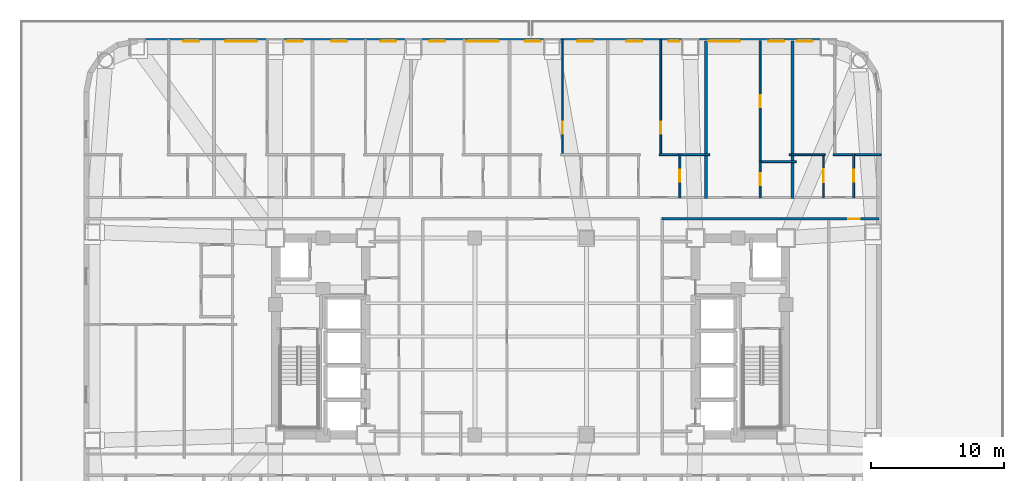
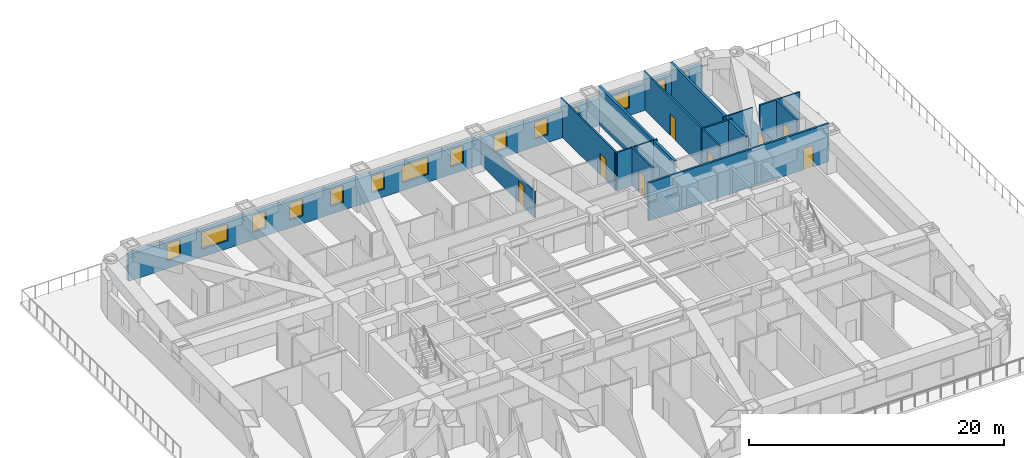
# One storey, part 9 of 15: 15 walls, 14 windows, 8 doors, 22 openings.
"""IFC4 building model written with IfcOpenShell, lengths in metres."""

from ifc_helpers import new_model, si_unit, direction, frame, frame_2d, origin, place, context, subcontext, project, spatial, rectangle, extrude, material, layer, layer_set, type_object, element, fill, save


model = new_model("IFC4")

# Units and contexts
model_context = context("Model", 3, precision=1e-05, world=origin(), true_north=direction((0.0, 1.0)))
body_context = subcontext(model_context, "Body", "Model", "MODEL_VIEW")
ifc_project = project(units=[si_unit("LENGTHUNIT", "METRE"), si_unit("AREAUNIT", "SQUARE_METRE"), si_unit("VOLUMEUNIT", "CUBIC_METRE"), si_unit("PLANEANGLEUNIT", "RADIAN"), si_unit("MASSUNIT", "GRAM", prefix="KILO")], contexts=[model_context])

# Site, building, storey
site_placement = place(None, origin())
site = spatial("IfcSite", under=ifc_project, at=site_placement, CompositionType="ELEMENT")
building_placement = place(site_placement, origin())
building = spatial("IfcBuilding", under=site, at=building_placement, Name="Voryun Gate Residences", CompositionType="ELEMENT")
storey_placement = place(building_placement, frame((0.0, 0.0, 26.0)))
storey = spatial("IfcBuildingStorey", under=building, at=storey_placement, Name="L05", CompositionType="ELEMENT", Elevation=26.0)

# Wall, opening, door
ifc_material_1 = material(Name="Gypsum acoustic fireboard")
ifc_layer_1 = layer(ifc_material_1, 0.179931640625, Name="W_CORR_RATED_180")
ifc_layer_set_1 = layer_set([ifc_layer_1], Name="Gypsum acoustic fireboard")
wall_type_1 = type_object("IfcWallType", Name="W_CORR_RATED_180", PredefinedType="PARTITIONING", material=ifc_layer_set_1)
wall_1_placement = place(storey_placement, frame((9.8798828125, 8.840087890625, 0.0), z_axis=(0.0, 0.0, 1.0), x_axis=(1.0, 0.0, 0.0)))
wall_1 = element("IfcWall", 1, at=wall_1_placement, inside=storey, type_object=wall_type_1, Name="Partition wall WP-L05-CWING-EN", PredefinedType="PARTITIONING", context=body_context, shape_type="SweptSolid", body=[
    extrude(rectangle(XDim=16.330078125, YDim=0.179931640625, at=frame_2d((8.1650390625, 0.0))), origin(), (0.0, 0.0, 1.0), 3.64990234375),
])
opening_1_placement = place(wall_1_placement, frame((13.990478515625, 0.0, 0.0)))
opening_1 = element("IfcOpeningElement", 2, at=opening_1_placement, cuts=wall_1, Name="Opening D-INT-2", PredefinedType="OPENING", context=body_context, shape_type="SweptSolid", body=[
    extrude(rectangle(XDim=0.89990234375, YDim=2.050048828125, at=frame_2d((0.449951171875, 1.02490234375))), frame((0.0, 0.099853515625, 0.0), z_axis=(0.0, -1.0, 0.0), x_axis=(1.0, 0.0, 0.0)), (0.0, 0.0, 1.0), 0.199951171875),
])
ifc_material_2 = material(Name="Architectural oak veneer")
door_type_1 = type_object("IfcDoorType", Name="DR_INT_BATH_900", OperationType="NOTDEFINED", PredefinedType="DOOR", material=ifc_material_2)
door_1_placement = place(opening_1_placement, origin())
door_1 = element("IfcDoor", 3, at=door_1_placement, inside=storey, type_object=door_type_1, Name="Door DR-L05-EE1N", OperationType="SINGLE_SWING_LEFT", OverallHeight=2.050048828125, OverallWidth=0.89990234375, PredefinedType="DOOR", context=body_context, shape_type="SweptSolid", body=[
    extrude(rectangle(XDim=0.89990234375, YDim=2.050048828125, at=frame_2d((0.449951171875, 1.02490234375))), frame((0.0, 0.02490234375, 0.0), z_axis=(0.0, -1.0, 0.0), x_axis=(1.0, 0.0, 0.0)), (0.0, 0.0, 1.0), 0.050048828125),
])
fill(opening_1, door_1)

# Wall, openings, windows
ifc_material_3 = material(Name="Granite masonry", Category="masonry")
ifc_layer_2 = layer(ifc_material_3, 0.3798828125, Name="W_EXT_GRANITE_380")
ifc_layer_set_2 = layer_set([ifc_layer_2], Name="Granite masonry")
wall_type_2 = type_object("IfcWallType", Name="W_EXT_GRANITE_380", PredefinedType="ELEMENTEDWALL", material=ifc_layer_set_2)
wall_2_placement = place(storey_placement, frame((-29.581298828125, 22.2099609375, 0.0), z_axis=(0.0, 0.0, 1.0), x_axis=(1.0, 0.0, 0.0)))
wall_2 = element("IfcWall", 4, at=wall_2_placement, inside=storey, type_object=wall_type_2, Name="Exterior wall WEXT-L05-11", PredefinedType="ELEMENTEDWALL", context=body_context, shape_type="SweptSolid", body=[
    extrude(rectangle(XDim=51.962646484375, YDim=0.3798828125, at=frame_2d((25.9814453125, 0.0))), origin(), (0.0, 0.0, 1.0), 2.5400390625),
])
opening_2_placement = place(wall_2_placement, frame((6.6103515625, 0.0, 0.75)))
opening_2 = element("IfcOpeningElement", 5, at=opening_2_placement, cuts=wall_2, Name="Opening WN2", PredefinedType="OPENING", context=body_context, shape_type="SweptSolid", body=[
    extrude(rectangle(XDim=2.39990234375, YDim=1.6298828125, at=frame_2d((1.199951171875, 0.81494140625))), frame((0.0, 0.199951171875, 0.0), z_axis=(0.0, -1.0, 0.0), x_axis=(1.0, 0.0, 0.0)), (0.0, 0.0, 1.0), 0.39990234375),
])
opening_3_placement = place(wall_2_placement, frame((24.78125, 0.0, 0.75)))
opening_3 = element("IfcOpeningElement", 6, at=opening_3_placement, cuts=wall_2, Name="Opening WN2", PredefinedType="OPENING", context=body_context, shape_type="SweptSolid", body=[
    extrude(rectangle(XDim=2.39990234375, YDim=1.6298828125, at=frame_2d((1.199951171875, 0.81494140625))), frame((0.0, 0.199951171875, 0.0), z_axis=(0.0, -1.0, 0.0), x_axis=(1.0, 0.0, 0.0)), (0.0, 0.0, 1.0), 0.39990234375),
])
opening_4_placement = place(wall_2_placement, frame((42.9521484375, 0.0, 0.75)))
opening_4 = element("IfcOpeningElement", 7, at=opening_4_placement, cuts=wall_2, Name="Opening WN2", PredefinedType="OPENING", context=body_context, shape_type="SweptSolid", body=[
    extrude(rectangle(XDim=2.39990234375, YDim=1.6298828125, at=frame_2d((1.199951171875, 0.81494140625))), frame((0.0, 0.199951171875, 0.0), z_axis=(0.0, -1.0, 0.0), x_axis=(1.0, 0.0, 0.0)), (0.0, 0.0, 1.0), 0.39990234375),
])
opening_5_placement = place(wall_2_placement, frame((3.476318359375, 0.0, 0.75)))
opening_5 = element("IfcOpeningElement", 8, at=opening_5_placement, cuts=wall_2, Name="Opening WN6", PredefinedType="OPENING", context=body_context, shape_type="SweptSolid", body=[
    extrude(rectangle(XDim=1.199951171875, YDim=1.6298828125, at=frame_2d((0.60009765625, 0.81494140625))), frame((0.0, 0.199951171875, 0.0), z_axis=(0.0, -1.0, 0.0), x_axis=(1.0, 0.0, 0.0)), (0.0, 0.0, 1.0), 0.39990234375),
])
opening_6_placement = place(wall_2_placement, frame((11.236328125, 0.0, 0.75)))
opening_6 = element("IfcOpeningElement", 9, at=opening_6_placement, cuts=wall_2, Name="Opening WN6", PredefinedType="OPENING", context=body_context, shape_type="SweptSolid", body=[
    extrude(rectangle(XDim=1.199951171875, YDim=1.6298828125, at=frame_2d((0.60009765625, 0.81494140625))), frame((0.0, 0.199951171875, 0.0), z_axis=(0.0, -1.0, 0.0), x_axis=(1.0, 0.0, 0.0)), (0.0, 0.0, 1.0), 0.39990234375),
])
opening_7_placement = place(wall_2_placement, frame((14.576416015625, 0.0, 0.75)))
opening_7 = element("IfcOpeningElement", 10, at=opening_7_placement, cuts=wall_2, Name="Opening WN6", PredefinedType="OPENING", context=body_context, shape_type="SweptSolid", body=[
    extrude(rectangle(XDim=1.199951171875, YDim=1.6298828125, at=frame_2d((0.60009765625, 0.81494140625))), frame((0.0, 0.199951171875, 0.0), z_axis=(0.0, -1.0, 0.0), x_axis=(1.0, 0.0, 0.0)), (0.0, 0.0, 1.0), 0.39990234375),
])
opening_8_placement = place(wall_2_placement, frame((18.2763671875, 0.0, 0.75)))
opening_8 = element("IfcOpeningElement", 11, at=opening_8_placement, cuts=wall_2, Name="Opening WN6", PredefinedType="OPENING", context=body_context, shape_type="SweptSolid", body=[
    extrude(rectangle(XDim=1.199951171875, YDim=1.6298828125, at=frame_2d((0.60009765625, 0.81494140625))), frame((0.0, 0.199951171875, 0.0), z_axis=(0.0, -1.0, 0.0), x_axis=(1.0, 0.0, 0.0)), (0.0, 0.0, 1.0), 0.39990234375),
])
opening_9_placement = place(wall_2_placement, frame((21.976318359375, 0.0, 0.75)))
opening_9 = element("IfcOpeningElement", 12, at=opening_9_placement, cuts=wall_2, Name="Opening WN6", PredefinedType="OPENING", context=body_context, shape_type="SweptSolid", body=[
    extrude(rectangle(XDim=1.199951171875, YDim=1.6298828125, at=frame_2d((0.60009765625, 0.81494140625))), frame((0.0, 0.199951171875, 0.0), z_axis=(0.0, -1.0, 0.0), x_axis=(1.0, 0.0, 0.0)), (0.0, 0.0, 1.0), 0.39990234375),
])
opening_10_placement = place(wall_2_placement, frame((29.13623046875, 0.0, 0.75)))
opening_10 = element("IfcOpeningElement", 13, at=opening_10_placement, cuts=wall_2, Name="Opening WN6", PredefinedType="OPENING", context=body_context, shape_type="SweptSolid", body=[
    extrude(rectangle(XDim=1.199951171875, YDim=1.6298828125, at=frame_2d((0.60009765625, 0.81494140625))), frame((0.0, 0.199951171875, 0.0), z_axis=(0.0, -1.0, 0.0), x_axis=(1.0, 0.0, 0.0)), (0.0, 0.0, 1.0), 0.39990234375),
])
opening_11_placement = place(wall_2_placement, frame((33.076416015625, 0.0, 0.75)))
opening_11 = element("IfcOpeningElement", 14, at=opening_11_placement, cuts=wall_2, Name="Opening WN6", PredefinedType="OPENING", context=body_context, shape_type="SweptSolid", body=[
    extrude(rectangle(XDim=1.199951171875, YDim=1.6298828125, at=frame_2d((0.60009765625, 0.81494140625))), frame((0.0, 0.199951171875, 0.0), z_axis=(0.0, -1.0, 0.0), x_axis=(1.0, 0.0, 0.0)), (0.0, 0.0, 1.0), 0.39990234375),
])
opening_12_placement = place(wall_2_placement, frame((36.7763671875, 0.0, 0.75)))
opening_12 = element("IfcOpeningElement", 15, at=opening_12_placement, cuts=wall_2, Name="Opening WN6", PredefinedType="OPENING", context=body_context, shape_type="SweptSolid", body=[
    extrude(rectangle(XDim=1.199951171875, YDim=1.6298828125, at=frame_2d((0.60009765625, 0.81494140625))), frame((0.0, 0.199951171875, 0.0), z_axis=(0.0, -1.0, 0.0), x_axis=(1.0, 0.0, 0.0)), (0.0, 0.0, 1.0), 0.39990234375),
])
opening_13_placement = place(wall_2_placement, frame((39.931396484375, 0.0, 0.75)))
opening_13 = element("IfcOpeningElement", 16, at=opening_13_placement, cuts=wall_2, Name="Opening WN9", PredefinedType="OPENING", context=body_context, shape_type="SweptSolid", body=[
    extrude(rectangle(XDim=0.85009765625, YDim=1.6298828125, at=frame_2d((0.425048828125, 0.81494140625))), frame((0.0, 0.199951171875, 0.0), z_axis=(0.0, -1.0, 0.0), x_axis=(1.0, 0.0, 0.0)), (0.0, 0.0, 1.0), 0.39990234375),
])
opening_14_placement = place(wall_2_placement, frame((47.46875, 0.0, 0.75)))
opening_14 = element("IfcOpeningElement", 17, at=opening_14_placement, cuts=wall_2, Name="Opening WN6", PredefinedType="OPENING", context=body_context, shape_type="SweptSolid", body=[
    extrude(rectangle(XDim=1.199951171875, YDim=1.6298828125, at=frame_2d((0.60009765625, 0.81494140625))), frame((0.0, 0.199951171875, 0.0), z_axis=(0.0, -1.0, 0.0), x_axis=(1.0, 0.0, 0.0)), (0.0, 0.0, 1.0), 0.39990234375),
])
opening_15_placement = place(wall_2_placement, frame((49.581298828125, 0.0, 0.75)))
opening_15 = element("IfcOpeningElement", 18, at=opening_15_placement, cuts=wall_2, Name="Opening WN6", PredefinedType="OPENING", context=body_context, shape_type="SweptSolid", body=[
    extrude(rectangle(XDim=1.199951171875, YDim=1.6298828125, at=frame_2d((0.60009765625, 0.81494140625))), frame((0.0, 0.199951171875, 0.0), z_axis=(0.0, -1.0, 0.0), x_axis=(1.0, 0.0, 0.0)), (0.0, 0.0, 1.0), 0.39990234375),
])
ifc_material_4 = material(Name="Laminated low-E glass", Category="glass")
window_type_1 = type_object("IfcWindowType", Name="WN_POD_SLOT_1200", PartitioningType="SINGLE_PANEL", PredefinedType="WINDOW", material=ifc_material_4)
window_1_placement = place(opening_5_placement, origin())
window_1 = element("IfcWindow", 19, at=window_1_placement, inside=storey, type_object=window_type_1, Name="Window WN-L05-DWFIX-02", OverallHeight=1.6298828125, OverallWidth=1.199951171875, PartitioningType="SINGLE_PANEL", PredefinedType="WINDOW", context=body_context, shape_type="SweptSolid", body=[
    extrude(rectangle(XDim=1.199951171875, YDim=1.6298828125, at=frame_2d((0.60009765625, 0.81494140625))), frame((0.0, 0.030029296875, 0.0), z_axis=(0.0, -1.0, 0.0), x_axis=(1.0, 0.0, 0.0)), (0.0, 0.0, 1.0), 0.06005859375),
])
fill(opening_5, window_1)
window_2_placement = place(opening_6_placement, origin())
window_2 = element("IfcWindow", 20, at=window_2_placement, inside=storey, type_object=window_type_1, Name="Window WN-L05-DWFIX-03", OverallHeight=1.6298828125, OverallWidth=1.199951171875, PartitioningType="SINGLE_PANEL", PredefinedType="WINDOW", context=body_context, shape_type="SweptSolid", body=[
    extrude(rectangle(XDim=1.199951171875, YDim=1.6298828125, at=frame_2d((0.60009765625, 0.81494140625))), frame((0.0, 0.030029296875, 0.0), z_axis=(0.0, -1.0, 0.0), x_axis=(1.0, 0.0, 0.0)), (0.0, 0.0, 1.0), 0.06005859375),
])
fill(opening_6, window_2)
window_3_placement = place(opening_7_placement, origin())
window_3 = element("IfcWindow", 21, at=window_3_placement, inside=storey, type_object=window_type_1, Name="Window WN-L05-DWFIX-04", OverallHeight=1.6298828125, OverallWidth=1.199951171875, PartitioningType="SINGLE_PANEL", PredefinedType="WINDOW", context=body_context, shape_type="SweptSolid", body=[
    extrude(rectangle(XDim=1.199951171875, YDim=1.6298828125, at=frame_2d((0.60009765625, 0.81494140625))), frame((0.0, 0.030029296875, 0.0), z_axis=(0.0, -1.0, 0.0), x_axis=(1.0, 0.0, 0.0)), (0.0, 0.0, 1.0), 0.06005859375),
])
fill(opening_7, window_3)
window_4_placement = place(opening_8_placement, origin())
window_4 = element("IfcWindow", 22, at=window_4_placement, inside=storey, type_object=window_type_1, Name="Window WN-L05-DWFIX-05", OverallHeight=1.6298828125, OverallWidth=1.199951171875, PartitioningType="SINGLE_PANEL", PredefinedType="WINDOW", context=body_context, shape_type="SweptSolid", body=[
    extrude(rectangle(XDim=1.199951171875, YDim=1.6298828125, at=frame_2d((0.60009765625, 0.81494140625))), frame((0.0, 0.030029296875, 0.0), z_axis=(0.0, -1.0, 0.0), x_axis=(1.0, 0.0, 0.0)), (0.0, 0.0, 1.0), 0.06005859375),
])
fill(opening_8, window_4)
window_5_placement = place(opening_9_placement, origin())
window_5 = element("IfcWindow", 23, at=window_5_placement, inside=storey, type_object=window_type_1, Name="Window WN-L05-DWFIX-06", OverallHeight=1.6298828125, OverallWidth=1.199951171875, PartitioningType="SINGLE_PANEL", PredefinedType="WINDOW", context=body_context, shape_type="SweptSolid", body=[
    extrude(rectangle(XDim=1.199951171875, YDim=1.6298828125, at=frame_2d((0.60009765625, 0.81494140625))), frame((0.0, 0.030029296875, 0.0), z_axis=(0.0, -1.0, 0.0), x_axis=(1.0, 0.0, 0.0)), (0.0, 0.0, 1.0), 0.06005859375),
])
fill(opening_9, window_5)
window_6_placement = place(opening_10_placement, origin())
window_6 = element("IfcWindow", 24, at=window_6_placement, inside=storey, type_object=window_type_1, Name="Window WN-L05-DWFIX-07", OverallHeight=1.6298828125, OverallWidth=1.199951171875, PartitioningType="SINGLE_PANEL", PredefinedType="WINDOW", context=body_context, shape_type="SweptSolid", body=[
    extrude(rectangle(XDim=1.199951171875, YDim=1.6298828125, at=frame_2d((0.60009765625, 0.81494140625))), frame((0.0, 0.030029296875, 0.0), z_axis=(0.0, -1.0, 0.0), x_axis=(1.0, 0.0, 0.0)), (0.0, 0.0, 1.0), 0.06005859375),
])
fill(opening_10, window_6)
window_7_placement = place(opening_11_placement, origin())
window_7 = element("IfcWindow", 25, at=window_7_placement, inside=storey, type_object=window_type_1, Name="Window WN-L05-DWFIX-08", OverallHeight=1.6298828125, OverallWidth=1.199951171875, PartitioningType="SINGLE_PANEL", PredefinedType="WINDOW", context=body_context, shape_type="SweptSolid", body=[
    extrude(rectangle(XDim=1.199951171875, YDim=1.6298828125, at=frame_2d((0.60009765625, 0.81494140625))), frame((0.0, 0.030029296875, 0.0), z_axis=(0.0, -1.0, 0.0), x_axis=(1.0, 0.0, 0.0)), (0.0, 0.0, 1.0), 0.06005859375),
])
fill(opening_11, window_7)
window_8_placement = place(opening_12_placement, origin())
window_8 = element("IfcWindow", 26, at=window_8_placement, inside=storey, type_object=window_type_1, Name="Window WN-L05-DWFIX-09", OverallHeight=1.6298828125, OverallWidth=1.199951171875, PartitioningType="SINGLE_PANEL", PredefinedType="WINDOW", context=body_context, shape_type="SweptSolid", body=[
    extrude(rectangle(XDim=1.199951171875, YDim=1.6298828125, at=frame_2d((0.60009765625, 0.81494140625))), frame((0.0, 0.030029296875, 0.0), z_axis=(0.0, -1.0, 0.0), x_axis=(1.0, 0.0, 0.0)), (0.0, 0.0, 1.0), 0.06005859375),
])
fill(opening_12, window_8)
window_9_placement = place(opening_14_placement, origin())
window_9 = element("IfcWindow", 27, at=window_9_placement, inside=storey, type_object=window_type_1, Name="Window WN-L05-DWFIX-11", OverallHeight=1.6298828125, OverallWidth=1.199951171875, PartitioningType="SINGLE_PANEL", PredefinedType="WINDOW", context=body_context, shape_type="SweptSolid", body=[
    extrude(rectangle(XDim=1.199951171875, YDim=1.6298828125, at=frame_2d((0.60009765625, 0.81494140625))), frame((0.0, 0.030029296875, 0.0), z_axis=(0.0, -1.0, 0.0), x_axis=(1.0, 0.0, 0.0)), (0.0, 0.0, 1.0), 0.06005859375),
])
fill(opening_14, window_9)
window_10_placement = place(opening_15_placement, origin())
window_10 = element("IfcWindow", 28, at=window_10_placement, inside=storey, type_object=window_type_1, Name="Window WN-L05-DWFIX-12", OverallHeight=1.6298828125, OverallWidth=1.199951171875, PartitioningType="SINGLE_PANEL", PredefinedType="WINDOW", context=body_context, shape_type="SweptSolid", body=[
    extrude(rectangle(XDim=1.199951171875, YDim=1.6298828125, at=frame_2d((0.60009765625, 0.81494140625))), frame((0.0, 0.030029296875, 0.0), z_axis=(0.0, -1.0, 0.0), x_axis=(1.0, 0.0, 0.0)), (0.0, 0.0, 1.0), 0.06005859375),
])
fill(opening_15, window_10)
ifc_material_5 = material(Name="Laminated low-E glass", Category="glass")
window_type_2 = type_object("IfcWindowType", Name="WN_RES_CASEMENT_850", PartitioningType="SINGLE_PANEL", PredefinedType="WINDOW", material=ifc_material_5)
window_11_placement = place(opening_13_placement, origin())
window_11 = element("IfcWindow", 29, at=window_11_placement, inside=storey, type_object=window_type_2, Name="Window WN-L05-DWFIX-10", OverallHeight=1.6298828125, OverallWidth=0.85009765625, PartitioningType="SINGLE_PANEL", PredefinedType="WINDOW", context=body_context, shape_type="SweptSolid", body=[
    extrude(rectangle(XDim=0.85009765625, YDim=1.6298828125, at=frame_2d((0.425048828125, 0.81494140625))), frame((0.0, 0.030029296875, 0.0), z_axis=(0.0, -1.0, 0.0), x_axis=(1.0, 0.0, 0.0)), (0.0, 0.0, 1.0), 0.06005859375),
])
fill(opening_13, window_11)
ifc_material_6 = material(Name="Laminated low-E glass", Category="glass")
window_type_3 = type_object("IfcWindowType", Name="WN_RES_WIDE_2400", PartitioningType="SINGLE_PANEL", PredefinedType="WINDOW", material=ifc_material_6)
window_12_placement = place(opening_2_placement, origin())
window_12 = element("IfcWindow", 30, at=window_12_placement, inside=storey, type_object=window_type_3, Name="Window WN-WEXT-L05-11-01", OverallHeight=1.6298828125, OverallWidth=2.39990234375, PartitioningType="SINGLE_PANEL", PredefinedType="WINDOW", context=body_context, shape_type="SweptSolid", body=[
    extrude(rectangle(XDim=2.39990234375, YDim=1.6298828125, at=frame_2d((1.199951171875, 0.81494140625))), frame((0.0, 0.030029296875, 0.0), z_axis=(0.0, -1.0, 0.0), x_axis=(1.0, 0.0, 0.0)), (0.0, 0.0, 1.0), 0.06005859375),
])
fill(opening_2, window_12)
window_13_placement = place(opening_3_placement, origin())
window_13 = element("IfcWindow", 31, at=window_13_placement, inside=storey, type_object=window_type_3, Name="Window WN-WEXT-L05-11-02", OverallHeight=1.6298828125, OverallWidth=2.39990234375, PartitioningType="SINGLE_PANEL", PredefinedType="WINDOW", context=body_context, shape_type="SweptSolid", body=[
    extrude(rectangle(XDim=2.39990234375, YDim=1.6298828125, at=frame_2d((1.199951171875, 0.81494140625))), frame((0.0, 0.030029296875, 0.0), z_axis=(0.0, -1.0, 0.0), x_axis=(1.0, 0.0, 0.0)), (0.0, 0.0, 1.0), 0.06005859375),
])
fill(opening_3, window_13)
window_14_placement = place(opening_4_placement, origin())
window_14 = element("IfcWindow", 32, at=window_14_placement, inside=storey, type_object=window_type_3, Name="Window WN-WEXT-L05-11-03", OverallHeight=1.6298828125, OverallWidth=2.39990234375, PartitioningType="SINGLE_PANEL", PredefinedType="WINDOW", context=body_context, shape_type="SweptSolid", body=[
    extrude(rectangle(XDim=2.39990234375, YDim=1.6298828125, at=frame_2d((1.199951171875, 0.81494140625))), frame((0.0, 0.030029296875, 0.0), z_axis=(0.0, -1.0, 0.0), x_axis=(1.0, 0.0, 0.0)), (0.0, 0.0, 1.0), 0.06005859375),
])
fill(opening_4, window_14)

# Walls
ifc_material_7 = material(Name="Concrete C40/50", Category="concrete")
ifc_layer_3 = layer(ifc_material_7, 0.219970703125, Name="W_PARTY_ACOUSTIC_220")
ifc_layer_set_3 = layer_set([ifc_layer_3], Name="Concrete C40/50")
wall_type_3 = type_object("IfcWallType", Name="W_PARTY_ACOUSTIC_220", PredefinedType="PARTITIONING", material=ifc_layer_set_3)
for number, where, z_axis, x_axis, name in (
    (33, (13.199951171875, 10.3701171875, 0.0), (0.0, 0.0, 1.0), (0.0, 1.0, 0.0), "Partition wall WP-L05-NPTY-6"),
    (34, (19.708984375, 10.3701171875, 0.0), (0.0, 0.0, 1.0), (0.0, 1.0, 0.0), "Partition wall WP-L05-NPTY-7"),
):
    element("IfcWall", number, at=place(storey_placement, frame(where, z_axis=z_axis, x_axis=x_axis)), inside=storey, type_object=wall_type_3, Name=name, PredefinedType="PARTITIONING", context=body_context, shape_type="SweptSolid", body=[
        extrude(rectangle(XDim=11.83984375, YDim=0.219970703125, at=frame_2d((5.919921875, 0.0))), origin(), (0.0, 0.0, 1.0), 3.64990234375),
    ])

# Wall, opening, door
ifc_material_8 = material(Name="Gypsum acoustic partition")
ifc_layer_4 = layer(ifc_material_8, 0.125, Name="W_UNIT_PART_125")
ifc_layer_set_4 = layer_set([ifc_layer_4], Name="Gypsum acoustic partition")
wall_type_4 = type_object("IfcWallType", Name="W_UNIT_PART_125", PredefinedType="PARTITIONING", material=ifc_layer_set_4)
wall_3_placement = place(storey_placement, frame((2.389892578125, 13.590087890625, 0.0), z_axis=(0.0, 0.0, 1.0), x_axis=(0.0, 1.0, 0.0)))
wall_3 = element("IfcWall", 35, at=wall_3_placement, inside=storey, type_object=wall_type_4, Name="Partition wall WP-L05-N5-OVR", PredefinedType="PARTITIONING", context=body_context, shape_type="SweptSolid", body=[
    extrude(rectangle(XDim=8.77001953125, YDim=0.125, at=frame_2d((4.385009765625, 0.0))), origin(), (0.0, 0.0, 1.0), 2.5400390625),
])
opening_16_placement = place(wall_3_placement, frame((1.65478515625, 0.0, 0.0)))
opening_16 = element("IfcOpeningElement", 36, at=opening_16_placement, cuts=wall_3, Name="Opening D-INT-2", PredefinedType="OPENING", context=body_context, shape_type="SweptSolid", body=[
    extrude(rectangle(XDim=0.89990234375, YDim=2.050048828125, at=frame_2d((0.449951171875, 1.02490234375))), frame((0.0, 0.072509765625, 0.0), z_axis=(0.0, -1.0, 0.0), x_axis=(1.0, 0.0, 0.0)), (0.0, 0.0, 1.0), 0.14501953125),
])
door_2_placement = place(opening_16_placement, origin())
door_2 = element("IfcDoor", 37, at=door_2_placement, inside=storey, type_object=door_type_1, Name="Door DR-L05-N5-DMB", OperationType="SINGLE_SWING_RIGHT", OverallHeight=2.050048828125, OverallWidth=0.89990234375, PredefinedType="DOOR", context=body_context, shape_type="SweptSolid", body=[
    extrude(rectangle(XDim=0.89990234375, YDim=2.050048828125, at=frame_2d((0.449951171875, 1.02490234375))), frame((0.0, 0.02490234375, 0.0), z_axis=(0.0, -1.0, 0.0), x_axis=(1.0, 0.0, 0.0)), (0.0, 0.0, 1.0), 0.050048828125),
])
fill(opening_16, door_2)

wall_4_placement = place(storey_placement, frame((9.7900390625, 13.590087890625, 0.0), z_axis=(0.0, 0.0, 1.0), x_axis=(0.0, 1.0, 0.0)))
wall_4 = element("IfcWall", 38, at=wall_4_placement, inside=storey, type_object=wall_type_4, Name="Partition wall WP-L05-N6-OVR", PredefinedType="PARTITIONING", context=body_context, shape_type="SweptSolid", body=[
    extrude(rectangle(XDim=8.77001953125, YDim=0.125, at=frame_2d((4.385009765625, 0.0))), origin(), (0.0, 0.0, 1.0), 3.64990234375),
])
opening_17_placement = place(wall_4_placement, frame((1.65478515625, 0.0, 0.0)))
opening_17 = element("IfcOpeningElement", 39, at=opening_17_placement, cuts=wall_4, Name="Opening D-INT-2", PredefinedType="OPENING", context=body_context, shape_type="SweptSolid", body=[
    extrude(rectangle(XDim=0.89990234375, YDim=2.050048828125, at=frame_2d((0.449951171875, 1.02490234375))), frame((0.0, 0.072509765625, 0.0), z_axis=(0.0, -1.0, 0.0), x_axis=(1.0, 0.0, 0.0)), (0.0, 0.0, 1.0), 0.14501953125),
])
door_3_placement = place(opening_17_placement, origin())
door_3 = element("IfcDoor", 40, at=door_3_placement, inside=storey, type_object=door_type_1, Name="Door DR-L05-N6-DMB", OperationType="SINGLE_SWING_RIGHT", OverallHeight=2.050048828125, OverallWidth=0.89990234375, PredefinedType="DOOR", context=body_context, shape_type="SweptSolid", body=[
    extrude(rectangle(XDim=0.89990234375, YDim=2.050048828125, at=frame_2d((0.449951171875, 1.02490234375))), frame((0.0, 0.02490234375, 0.0), z_axis=(0.0, -1.0, 0.0), x_axis=(1.0, 0.0, 0.0)), (0.0, 0.0, 1.0), 0.050048828125),
])
fill(opening_17, door_3)

wall_5_placement = place(storey_placement, frame((22.01904296875, 10.429931640625, 0.0), z_axis=(0.0, 0.0, 1.0), x_axis=(0.0, 1.0, 0.0)))
wall_5 = element("IfcWall", 41, at=wall_5_placement, inside=storey, type_object=wall_type_4, Name="Partition wall WP-L05-N8-IVK", PredefinedType="PARTITIONING", context=body_context, shape_type="SweptSolid", body=[
    extrude(rectangle(XDim=3.320068359375, YDim=0.125, at=frame_2d((1.66015625, 0.0))), origin(), (0.0, 0.0, 1.0), 2.5400390625),
])
opening_18_placement = place(wall_5_placement, frame((1.18505859375, 0.0, 0.0)))
opening_18 = element("IfcOpeningElement", 42, at=opening_18_placement, cuts=wall_5, Name="Opening D-INT-1", PredefinedType="OPENING", context=body_context, shape_type="SweptSolid", body=[
    extrude(rectangle(XDim=0.949951171875, YDim=2.050048828125, at=frame_2d((0.47509765625, 1.02490234375))), frame((0.0, 0.072509765625, 0.0), z_axis=(0.0, -1.0, 0.0), x_axis=(1.0, 0.0, 0.0)), (0.0, 0.0, 1.0), 0.14501953125),
])
ifc_material_9 = material(Name="Architectural oak veneer")
door_type_2 = type_object("IfcDoorType", Name="DR_INT_ROOM_950", OperationType="NOTDEFINED", PredefinedType="DOOR", material=ifc_material_9)
door_4_placement = place(opening_18_placement, origin())
door_4 = element("IfcDoor", 43, at=door_4_placement, inside=storey, type_object=door_type_2, Name="Door DR-L05-N8-DK", OperationType="SINGLE_SWING_LEFT", OverallHeight=2.050048828125, OverallWidth=0.949951171875, PredefinedType="DOOR", context=body_context, shape_type="SweptSolid", body=[
    extrude(rectangle(XDim=0.949951171875, YDim=2.050048828125, at=frame_2d((0.47509765625, 1.02490234375))), frame((0.0, 0.02490234375, 0.0), z_axis=(0.0, -1.0, 0.0), x_axis=(1.0, 0.0, 0.0)), (0.0, 0.0, 1.0), 0.050048828125),
])
fill(opening_18, door_4)

# Walls
wall_6_placement = place(storey_placement, frame((19.448974609375, 13.669921875, 0.0), z_axis=(0.0, 0.0, 1.0), x_axis=(1.0, 0.0, 0.0)))
element("IfcWall", 44, at=wall_6_placement, inside=storey, type_object=wall_type_4, Name="Partition wall WP-L05-N8-HZK", PredefinedType="PARTITIONING", context=body_context, shape_type="SweptSolid", body=[
    extrude(rectangle(XDim=2.68994140625, YDim=0.125, at=frame_2d((1.344970703125, 0.0))), origin(), (0.0, 0.0, 1.0), 3.64990234375),
])
ifc_material_10 = material(Name="Gypsum moisture-resistant partition")
ifc_layer_5 = layer(ifc_material_10, 0.14990234375, Name="W_WET_PLUMB_150")
ifc_layer_set_5 = layer_set([ifc_layer_5], Name="Gypsum moisture-resistant partition")
wall_type_5 = type_object("IfcWallType", Name="W_WET_PLUMB_150", PredefinedType="PLUMBINGWALL", material=ifc_layer_set_5)
wall_7_placement = place(storey_placement, frame((9.669921875, 13.669921875, 0.0), z_axis=(0.0, 0.0, 1.0), x_axis=(1.0, 0.0, 0.0)))
element("IfcWall", 45, at=wall_7_placement, inside=storey, type_object=wall_type_5, Name="Partition wall WP-L05-N6-HZB", PredefinedType="PLUMBINGWALL", context=body_context, shape_type="SweptSolid", body=[
    extrude(rectangle(XDim=3.7900390625, YDim=0.14990234375, at=frame_2d((1.89501953125, 0.0))), origin(), (0.0, 0.0, 1.0), 3.64990234375),
])

# Wall, opening, door
wall_8_placement = place(storey_placement, frame((11.219970703125, 10.429931640625, 0.0), z_axis=(0.0, 0.0, 1.0), x_axis=(0.0, 1.0, 0.0)))
wall_8 = element("IfcWall", 46, at=wall_8_placement, inside=storey, type_object=wall_type_5, Name="Partition wall WP-L05-N6-IVB", PredefinedType="PLUMBINGWALL", context=body_context, shape_type="SweptSolid", body=[
    extrude(rectangle(XDim=3.320068359375, YDim=0.14990234375, at=frame_2d((1.66015625, 0.0))), origin(), (0.0, 0.0, 1.0), 3.64990234375),
])
opening_19_placement = place(wall_8_placement, frame((1.2099609375, 0.0, 0.0)))
opening_19 = element("IfcOpeningElement", 47, at=opening_19_placement, cuts=wall_8, Name="Opening D-INT-2", PredefinedType="OPENING", context=body_context, shape_type="SweptSolid", body=[
    extrude(rectangle(XDim=0.89990234375, YDim=2.050048828125, at=frame_2d((0.449951171875, 1.02490234375))), frame((0.0, 0.0849609375, 0.0), z_axis=(0.0, -1.0, 0.0), x_axis=(1.0, 0.0, 0.0)), (0.0, 0.0, 1.0), 0.169921875),
])
door_5_placement = place(opening_19_placement, origin())
door_5 = element("IfcDoor", 48, at=door_5_placement, inside=storey, type_object=door_type_1, Name="Door DR-L05-N6-DB", OperationType="SINGLE_SWING_RIGHT", OverallHeight=2.050048828125, OverallWidth=0.89990234375, PredefinedType="DOOR", context=body_context, shape_type="SweptSolid", body=[
    extrude(rectangle(XDim=0.89990234375, YDim=2.050048828125, at=frame_2d((0.449951171875, 1.02490234375))), frame((0.0, 0.02490234375, 0.0), z_axis=(0.0, -1.0, 0.0), x_axis=(1.0, 0.0, 0.0)), (0.0, 0.0, 1.0), 0.050048828125),
])
fill(opening_19, door_5)

# Wall
wall_9_placement = place(storey_placement, frame((17.18603515625, 13.14990234375, 0.0), z_axis=(0.0, 0.0, 1.0), x_axis=(1.0, 0.0, 0.0)))
element("IfcWall", 49, at=wall_9_placement, inside=storey, type_object=wall_type_5, Name="Partition wall WP-L05-N7-SKB", PredefinedType="PLUMBINGWALL", context=body_context, shape_type="SweptSolid", body=[
    extrude(rectangle(XDim=2.782958984375, YDim=0.14990234375, at=frame_2d((1.3916015625, 0.0))), origin(), (0.0, 0.0, 1.0), 3.64990234375),
])

# Wall, opening, door
wall_10_placement = place(storey_placement, frame((17.26611328125, 10.429931640625, 0.0), z_axis=(0.0, 0.0, 1.0), x_axis=(0.0, 1.0, 0.0)))
wall_10 = element("IfcWall", 50, at=wall_10_placement, inside=storey, type_object=wall_type_5, Name="Partition wall WP-L05-N7-SVT1", PredefinedType="PLUMBINGWALL", context=body_context, shape_type="SweptSolid", body=[
    extrude(rectangle(XDim=2.760009765625, YDim=0.14990234375, at=frame_2d((1.3798828125, 0.0))), origin(), (0.0, 0.0, 1.0), 3.64990234375),
])
opening_20_placement = place(wall_10_placement, frame((0.929931640625, 0.0, 0.0)))
opening_20 = element("IfcOpeningElement", 51, at=opening_20_placement, cuts=wall_10, Name="Opening D-INT-2", PredefinedType="OPENING", context=body_context, shape_type="SweptSolid", body=[
    extrude(rectangle(XDim=0.89990234375, YDim=2.050048828125, at=frame_2d((0.449951171875, 1.02490234375))), frame((0.0, 0.0849609375, 0.0), z_axis=(0.0, -1.0, 0.0), x_axis=(1.0, 0.0, 0.0)), (0.0, 0.0, 1.0), 0.169921875),
])
door_6_placement = place(opening_20_placement, origin())
door_6 = element("IfcDoor", 52, at=door_6_placement, inside=storey, type_object=door_type_1, Name="Door DR-L05-N7-DB", OperationType="SINGLE_SWING_LEFT", OverallHeight=2.050048828125, OverallWidth=0.89990234375, PredefinedType="DOOR", context=body_context, shape_type="SweptSolid", body=[
    extrude(rectangle(XDim=0.89990234375, YDim=2.050048828125, at=frame_2d((0.449951171875, 1.02490234375))), frame((0.0, 0.02490234375, 0.0), z_axis=(0.0, -1.0, 0.0), x_axis=(1.0, 0.0, 0.0)), (0.0, 0.0, 1.0), 0.050048828125),
])
fill(opening_20, door_6)

wall_11_placement = place(storey_placement, frame((17.26611328125, 13.110107421875, 0.0), z_axis=(0.0, 0.0, 1.0), x_axis=(0.0, 1.0, 0.0)))
wall_11 = element("IfcWall", 53, at=wall_11_placement, inside=storey, type_object=wall_type_5, Name="Partition wall WP-L05-N7-SVT2", PredefinedType="PLUMBINGWALL", context=body_context, shape_type="SweptSolid", body=[
    extrude(rectangle(XDim=9.1474609375, YDim=0.14990234375, at=frame_2d((4.57373046875, 0.0))), origin(), (0.0, 0.0, 1.0), 3.64990234375),
])
opening_21_placement = place(wall_11_placement, frame((4.123779296875, 0.0, 0.0)))
opening_21 = element("IfcOpeningElement", 54, at=opening_21_placement, cuts=wall_11, Name="Opening D-INT-2", PredefinedType="OPENING", context=body_context, shape_type="SweptSolid", body=[
    extrude(rectangle(XDim=0.89990234375, YDim=2.050048828125, at=frame_2d((0.449951171875, 1.02490234375))), frame((0.0, 0.0849609375, 0.0), z_axis=(0.0, -1.0, 0.0), x_axis=(1.0, 0.0, 0.0)), (0.0, 0.0, 1.0), 0.169921875),
])
door_7_placement = place(opening_21_placement, origin())
door_7 = element("IfcDoor", 55, at=door_7_placement, inside=storey, type_object=door_type_1, Name="Door DR-L05-N7-DK", OperationType="SINGLE_SWING_RIGHT", OverallHeight=2.050048828125, OverallWidth=0.89990234375, PredefinedType="DOOR", context=body_context, shape_type="SweptSolid", body=[
    extrude(rectangle(XDim=0.89990234375, YDim=2.050048828125, at=frame_2d((0.449951171875, 1.02490234375))), frame((0.0, 0.02490234375, 0.0), z_axis=(0.0, -1.0, 0.0), x_axis=(1.0, 0.0, 0.0)), (0.0, 0.0, 1.0), 0.050048828125),
])
fill(opening_21, door_7)

# Wall
wall_12_placement = place(storey_placement, frame((22.748046875, 13.669921875, 0.0), z_axis=(0.0, 0.0, 1.0), x_axis=(1.0, 0.0, 0.0)))
element("IfcWall", 56, at=wall_12_placement, inside=storey, type_object=wall_type_5, Name="Partition wall WP-L05-N8-HZB", PredefinedType="PLUMBINGWALL", context=body_context, shape_type="SweptSolid", body=[
    extrude(rectangle(XDim=3.612060546875, YDim=0.14990234375, at=frame_2d((1.80615234375, 0.0))), origin(), (0.0, 0.0, 1.0), 3.64990234375),
])

# Wall, opening, door
wall_13_placement = place(storey_placement, frame((24.298095703125, 10.429931640625, 0.0), z_axis=(0.0, 0.0, 1.0), x_axis=(0.0, 1.0, 0.0)))
wall_13 = element("IfcWall", 57, at=wall_13_placement, inside=storey, type_object=wall_type_5, Name="Partition wall WP-L05-N8-IVB", PredefinedType="PLUMBINGWALL", context=body_context, shape_type="SweptSolid", body=[
    extrude(rectangle(XDim=3.320068359375, YDim=0.14990234375, at=frame_2d((1.66015625, 0.0))), origin(), (0.0, 0.0, 1.0), 3.64990234375),
])
opening_22_placement = place(wall_13_placement, frame((1.2099609375, 0.0, 0.0)))
opening_22 = element("IfcOpeningElement", 58, at=opening_22_placement, cuts=wall_13, Name="Opening D-INT-2", PredefinedType="OPENING", context=body_context, shape_type="SweptSolid", body=[
    extrude(rectangle(XDim=0.89990234375, YDim=2.050048828125, at=frame_2d((0.449951171875, 1.02490234375))), frame((0.0, 0.0849609375, 0.0), z_axis=(0.0, -1.0, 0.0), x_axis=(1.0, 0.0, 0.0)), (0.0, 0.0, 1.0), 0.169921875),
])
door_8_placement = place(opening_22_placement, origin())
door_8 = element("IfcDoor", 59, at=door_8_placement, inside=storey, type_object=door_type_1, Name="Door DR-L05-N8-DB", OperationType="SINGLE_SWING_RIGHT", OverallHeight=2.050048828125, OverallWidth=0.89990234375, PredefinedType="DOOR", context=body_context, shape_type="SweptSolid", body=[
    extrude(rectangle(XDim=0.89990234375, YDim=2.050048828125, at=frame_2d((0.449951171875, 1.02490234375))), frame((0.0, 0.02490234375, 0.0), z_axis=(0.0, -1.0, 0.0), x_axis=(1.0, 0.0, 0.0)), (0.0, 0.0, 1.0), 0.050048828125),
])
fill(opening_22, door_8)

save(model, "model.ifc")
